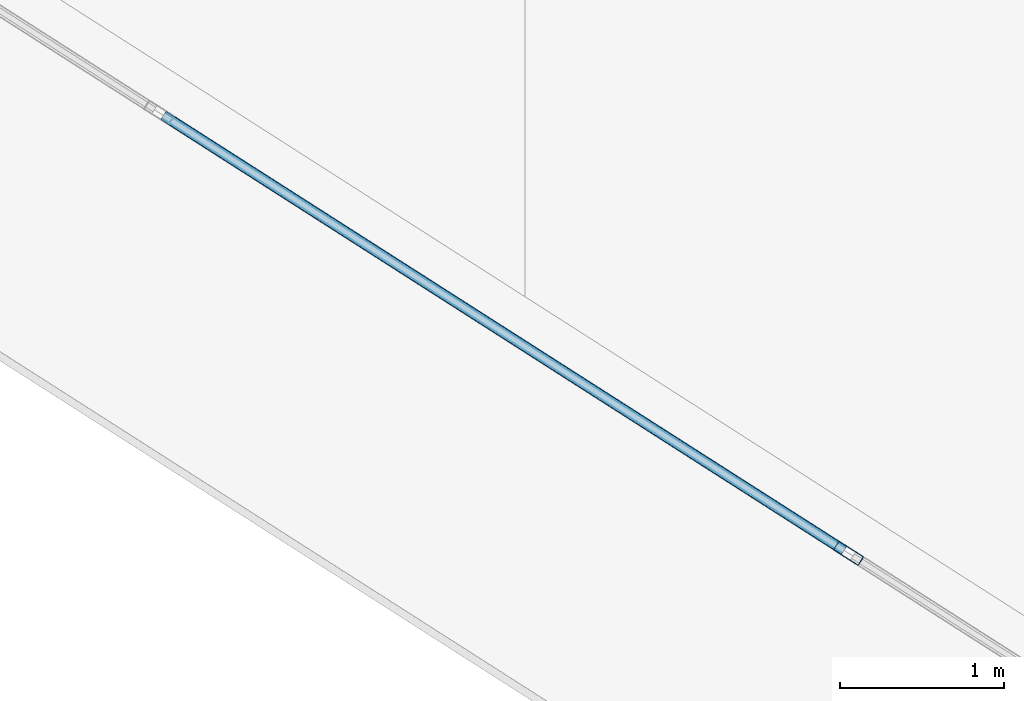
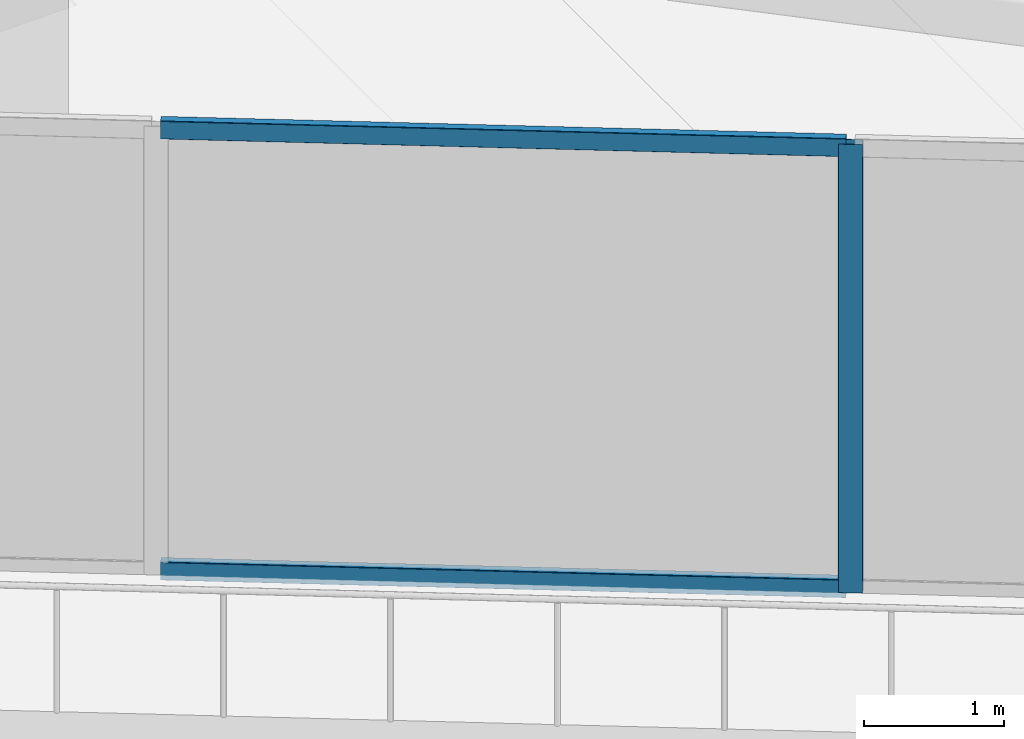
# One storey, part 8 of 45: 3 members, 1 element without a shape of its own.
"""IFC4 building model written with IfcOpenShell, lengths in metres."""

from ifc_helpers import new_model, si_unit, direction, frame, origin, origin_2d, place, context, subcontext, project, spatial, hollow_rectangle, extrude, material, layer, layer_set, material_profile, profile_set, type_object, element, aggregate, save


model = new_model("IFC4")

# Units and contexts
model_context = context("Model", 3, precision=1e-05, world=origin(), true_north=direction((0.0, 1.0)))
body_context = subcontext(model_context, "Body", "Model", "MODEL_VIEW")
ifc_project = project(units=[si_unit("LENGTHUNIT", "METRE"), si_unit("AREAUNIT", "SQUARE_METRE"), si_unit("VOLUMEUNIT", "CUBIC_METRE"), si_unit("PLANEANGLEUNIT", "RADIAN"), si_unit("MASSUNIT", "GRAM", prefix="KILO")], contexts=[model_context])

# Site, building, storey
site_placement = place(None, origin())
site = spatial("IfcSite", under=ifc_project, at=site_placement, CompositionType="ELEMENT")
building_placement = place(site_placement, origin())
building = spatial("IfcBuilding", under=site, at=building_placement, Name="Qorvath Tower", CompositionType="ELEMENT")
storey_placement = place(building_placement, frame((0.0, 0.0, 49.199951171875)))
storey = spatial("IfcBuildingStorey", under=building, at=storey_placement, Name="L10", CompositionType="ELEMENT", Elevation=49.199951171875)

# Curtain wall, members
ifc_material_1 = material(Name="Anodised aluminium and triple low-E glass", Category="aluminium")
ifc_layer = layer(ifc_material_1, 0.179931640625)
ifc_layer_set = layer_set([ifc_layer], Name="CW-SYS-2")
curtain_wall_type = type_object("IfcCurtainWallType", Name="CW-SYS-2", PredefinedType="NOTDEFINED", material=ifc_layer_set)
curtain_wall_placement = place(storey_placement, origin())
curtain_wall = element("IfcCurtainWall", 1, at=curtain_wall_placement, inside=storey, type_object=curtain_wall_type, Name="Curtain Wall CW-2 CW-T-L10-2.2", PredefinedType="NOTDEFINED")
ifc_material_2 = material(Name="Anodised aluminium 6063-T6", Category="aluminium")
ifc_material_profile_1 = material_profile(ifc_material_2, hollow_rectangle(XDim=0.06494140625, YDim=0.179931640625, WallThickness=0.00341796875, InnerFilletRadius=0.00341796875, OuterFilletRadius=0.007080078125, at=origin_2d()), Name="CWM 180x65")
ifc_profile_set_1 = profile_set([ifc_material_profile_1], Name="Anodised aluminium 6063-T6")
member_type_1 = type_object("IfcMemberType", Name="CWM-180", PredefinedType="MULLION", material=ifc_profile_set_1)
member_1_placement = place(storey_placement, frame((-27.4453125, -25.366943359375, 0.0), z_axis=(0.0, 0.0, 1.0), x_axis=(0.538536571861, 0.842602136698, 0.0)))
member_1 = element("IfcMember", 2, at=member_1_placement, type_object=member_type_1, Name="CW-2 mullion 4", PredefinedType="MULLION", context=body_context, shape_type="SweptSolid", body=[
    extrude(hollow_rectangle(XDim=0.06494140625, YDim=0.179931640625, WallThickness=0.00341796875, InnerFilletRadius=0.00341796875, OuterFilletRadius=0.007080078125, at=origin_2d()), origin(), (0.0, 0.0, 1.0), 3.920166015625),
])
ifc_material_3 = material(Name="Anodised aluminium 6063-T6", Category="aluminium")
ifc_material_profile_2 = material_profile(ifc_material_3, hollow_rectangle(XDim=0.06494140625, YDim=0.159912109375, WallThickness=0.00341796875, InnerFilletRadius=0.00341796875, OuterFilletRadius=0.007080078125, at=origin_2d()), Name="CWT 160x65")
ifc_profile_set_2 = profile_set([ifc_material_profile_2], Name="Anodised aluminium 6063-T6")
member_type_2 = type_object("IfcMemberType", Name="CWT-160", PredefinedType="USERDEFINED", material=ifc_profile_set_2)
member_2_placement = place(storey_placement, frame((-31.611572265625, -22.703857421875, 0.032470703125), z_axis=(0.842585374104, -0.538562797959, 0.0), x_axis=(0.538562797959, 0.842585374104, 0.0)))
member_2 = element("IfcMember", 3, at=member_2_placement, type_object=member_type_2, Name="CW-2 transom 3.1", ObjectType="TRANSOM", PredefinedType="USERDEFINED", context=body_context, shape_type="SweptSolid", body=[
    extrude(hollow_rectangle(XDim=0.06494140625, YDim=0.159912109375, WallThickness=0.00341796875, InnerFilletRadius=0.00341796875, OuterFilletRadius=0.007080078125, at=origin_2d()), origin(), (0.0, 0.0, 1.0), 4.912109375),
])
member_3_placement = place(storey_placement, frame((-31.611572265625, -22.703857421875, 3.8876953125), z_axis=(0.842585374104, -0.538562797959, 0.0), x_axis=(0.538562797959, 0.842585374104, 0.0)))
member_3 = element("IfcMember", 4, at=member_3_placement, type_object=member_type_2, Name="CW-2 transom 3.2", ObjectType="TRANSOM", PredefinedType="USERDEFINED", context=body_context, shape_type="SweptSolid", body=[
    extrude(hollow_rectangle(XDim=0.06494140625, YDim=0.159912109375, WallThickness=0.00341796875, InnerFilletRadius=0.00341796875, OuterFilletRadius=0.007080078125, at=origin_2d()), origin(), (0.0, 0.0, 1.0), 4.912109375),
])
aggregate(curtain_wall, [member_1, member_2, member_3])

save(model, "model.ifc")
